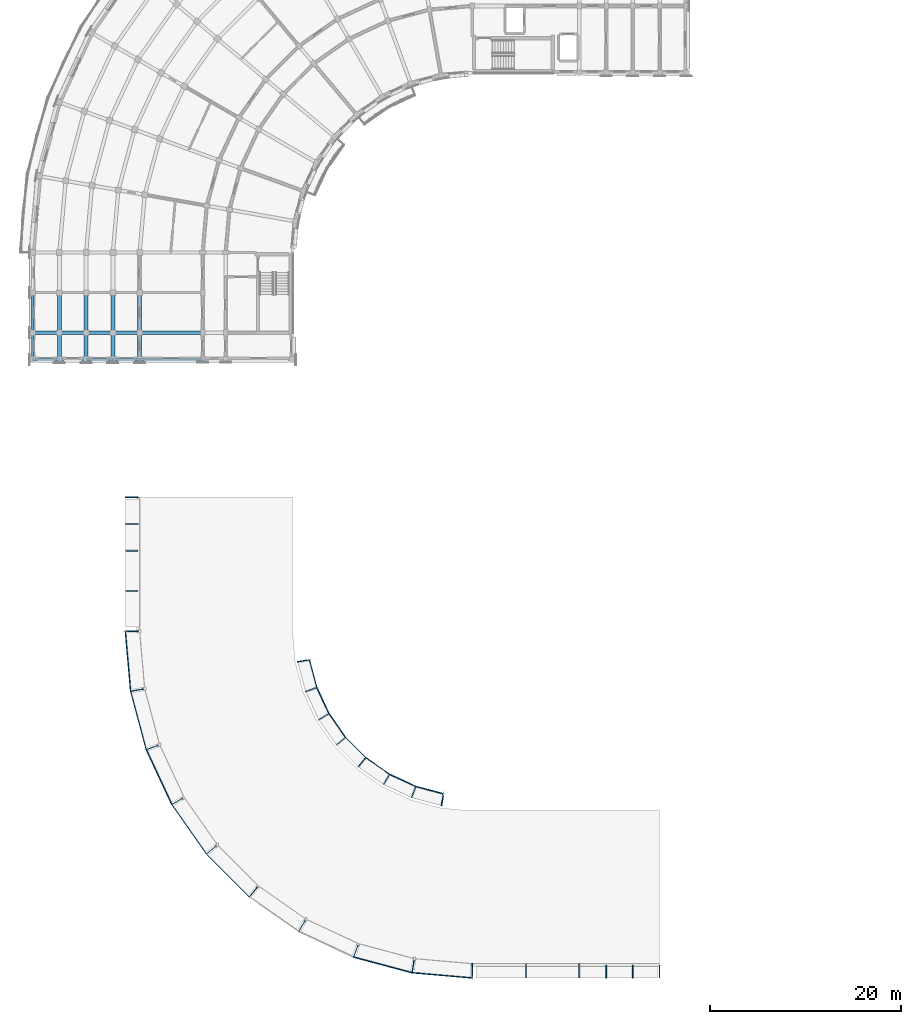
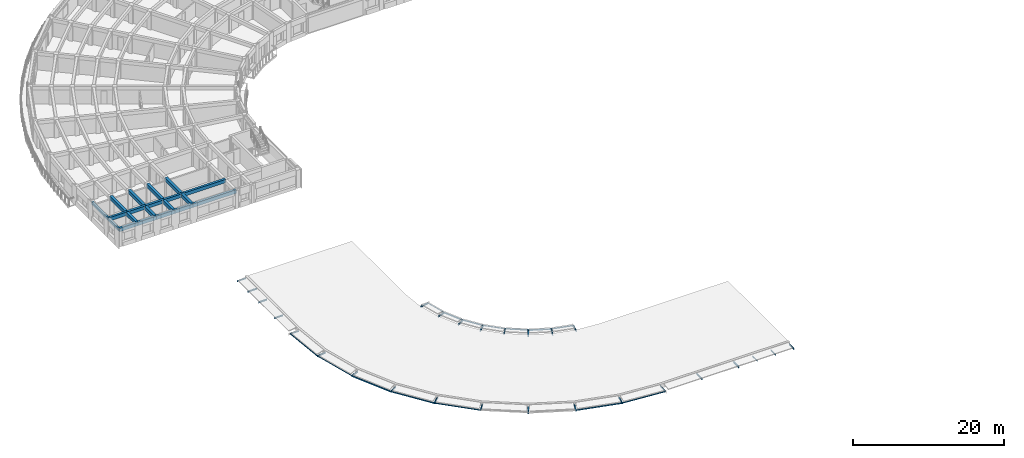
# One storey, part 3 of 41: 47 beams, 14 members.
"""IFC4 building model written with IfcOpenShell, lengths in metres."""

from ifc_helpers import new_model, si_unit, direction, frame, origin, origin_2d, place, context, subcontext, project, spatial, rectangle, hollow_rectangle, i_section, extrude, material, material_profile, profile_set, type_object, element, save


model = new_model("IFC4")

# Units and contexts
model_context = context("Model", 3, precision=1e-05, world=origin(), true_north=direction((0.0, 1.0)))
body_context = subcontext(model_context, "Body", "Model", "MODEL_VIEW")
ifc_project = project(units=[si_unit("LENGTHUNIT", "METRE"), si_unit("AREAUNIT", "SQUARE_METRE"), si_unit("VOLUMEUNIT", "CUBIC_METRE"), si_unit("PLANEANGLEUNIT", "RADIAN"), si_unit("MASSUNIT", "GRAM", prefix="KILO")], contexts=[model_context])

# Site, building, storey
site_placement = place(None, origin())
site = spatial("IfcSite", under=ifc_project, at=site_placement, CompositionType="ELEMENT")
building_placement = place(site_placement, origin())
building = spatial("IfcBuilding", under=site, at=building_placement, Name="Kiranvali Square Residences", CompositionType="ELEMENT")
storey_placement = place(building_placement, frame((0.0, 0.0, 33.89990234375)))
storey = spatial("IfcBuildingStorey", under=building, at=storey_placement, Name="L10", CompositionType="ELEMENT", Elevation=33.89990234375)

# Beams
ifc_material_1 = material(Name="Concrete M40 (40 MPa)", Category="concrete")
ifc_material_profile_1 = material_profile(ifc_material_1, rectangle(XDim=0.35009765625, YDim=0.550048828125, at=origin_2d()), Name="RC 350x550")
ifc_profile_set_1 = profile_set([ifc_material_profile_1], Name="Concrete M40 (40 MPa)")
beam_type_1 = type_object("IfcBeamType", Name="BM-M40-350x550", PredefinedType="BEAM", material=ifc_profile_set_1)
beam_1_placement = place(storey_placement, frame((20.0, 79.39990234375, 2.655029296875), z_axis=(-1.0, 0.0, 0.0), x_axis=(0.0, -1.0, 0.0)))
element("IfcBeam", 1, at=beam_1_placement, inside=storey, type_object=beam_type_1, Name="L10 beam BM-A-L10-A2T1-23", PredefinedType="BEAM", context=body_context, shape_type="SweptSolid", body=[
    extrude(rectangle(XDim=0.35009765625, YDim=0.550048828125, at=origin_2d()), origin(), (0.0, 0.0, 1.0), 6.60009765625),
])
beam_2_placement = place(storey_placement, frame((13.39990234375, 79.39990234375, 2.655029296875), z_axis=(-1.0, 0.0, 0.0), x_axis=(0.0, -1.0, 0.0)))
element("IfcBeam", 2, at=beam_2_placement, inside=storey, type_object=beam_type_1, Name="L10 beam BM-A-L10-A2T1-34", PredefinedType="BEAM", context=body_context, shape_type="SweptSolid", body=[
    extrude(rectangle(XDim=0.35009765625, YDim=0.550048828125, at=origin_2d()), origin(), (0.0, 0.0, 1.0), 2.7998046875),
])
for number, where, z_axis, x_axis, name in (
    (3, (10.60009765625, 79.39990234375, 2.655029296875), (-1.0, 0.0, 0.0), (0.0, -1.0, 0.0), "L10 beam BM-A-L10-A2T1-45"),
    (4, (7.800048828125, 79.39990234375, 2.655029296875), (-1.0, 0.0, 0.0), (0.0, -1.0, 0.0), "L10 beam BM-A-L10-A2T1-56"),
    (5, (5.0, 79.39990234375, 2.655029296875), (-1.0, 0.0, 0.0), (0.0, -1.0, 0.0), "L10 beam BM-A-L10-A2T1-67"),
):
    element("IfcBeam", number, at=place(storey_placement, frame(where, z_axis=z_axis, x_axis=x_axis)), inside=storey, type_object=beam_type_1, Name=name, PredefinedType="BEAM", context=body_context, shape_type="SweptSolid", body=[
        extrude(rectangle(XDim=0.35009765625, YDim=0.550048828125, at=origin_2d()), origin(), (0.0, 0.0, 1.0), 2.800048828125),
    ])
beam_3_placement = place(storey_placement, frame((20.0, 76.60009765625, 2.655029296875), z_axis=(-1.0, 0.0, 0.0), x_axis=(0.0, -1.0, 0.0)))
element("IfcBeam", 6, at=beam_3_placement, inside=storey, type_object=beam_type_1, Name="L10 beam BM-A-L10-A2T2-23", PredefinedType="BEAM", context=body_context, shape_type="SweptSolid", body=[
    extrude(rectangle(XDim=0.35009765625, YDim=0.550048828125, at=origin_2d()), origin(), (0.0, 0.0, 1.0), 6.60009765625),
])
beam_4_placement = place(storey_placement, frame((13.39990234375, 76.60009765625, 2.655029296875), z_axis=(-1.0, 0.0, 0.0), x_axis=(0.0, -1.0, 0.0)))
element("IfcBeam", 7, at=beam_4_placement, inside=storey, type_object=beam_type_1, Name="L10 beam BM-A-L10-A2T2-34", PredefinedType="BEAM", context=body_context, shape_type="SweptSolid", body=[
    extrude(rectangle(XDim=0.35009765625, YDim=0.550048828125, at=origin_2d()), origin(), (0.0, 0.0, 1.0), 2.7998046875),
])
for number, where, z_axis, x_axis, name in (
    (8, (10.60009765625, 76.60009765625, 2.655029296875), (-1.0, 0.0, 0.0), (0.0, -1.0, 0.0), "L10 beam BM-A-L10-A2T2-45"),
    (9, (7.800048828125, 76.60009765625, 2.655029296875), (-1.0, 0.0, 0.0), (0.0, -1.0, 0.0), "L10 beam BM-A-L10-A2T2-56"),
    (10, (5.0, 76.60009765625, 2.655029296875), (-1.0, 0.0, 0.0), (0.0, -1.0, 0.0), "L10 beam BM-A-L10-A2T2-67"),
):
    element("IfcBeam", number, at=place(storey_placement, frame(where, z_axis=z_axis, x_axis=x_axis)), inside=storey, type_object=beam_type_1, Name=name, PredefinedType="BEAM", context=body_context, shape_type="SweptSolid", body=[
        extrude(rectangle(XDim=0.35009765625, YDim=0.550048828125, at=origin_2d()), origin(), (0.0, 0.0, 1.0), 2.800048828125),
    ])
ifc_material_2 = material(Name="Concrete M45 (45 MPa)", Category="concrete")
ifc_material_profile_2 = material_profile(ifc_material_2, rectangle(XDim=0.39990234375, YDim=0.550048828125, at=origin_2d()), Name="RC 400x550")
ifc_profile_set_2 = profile_set([ifc_material_profile_2], Name="Concrete M45 (45 MPa)")
beam_type_2 = type_object("IfcBeamType", Name="BM-M45-400x550", PredefinedType="BEAM", material=ifc_profile_set_2)
beam_5_placement = place(storey_placement, frame((13.39990234375, 83.60009765625, 2.655029296875), z_axis=(0.0, -1.0, 0.0), x_axis=(1.0, 0.0, 0.0)))
element("IfcBeam", 11, at=beam_5_placement, inside=storey, type_object=beam_type_2, Name="L10 beam BM-A-L10-A2V1-R3", PredefinedType="BEAM", context=body_context, shape_type="SweptSolid", body=[
    extrude(rectangle(XDim=0.39990234375, YDim=0.550048828125, at=origin_2d()), origin(), (0.0, 0.0, 1.0), 4.2001953125),
])
beam_6_placement = place(storey_placement, frame((13.39990234375, 79.39990234375, 2.655029296875), z_axis=(0.0, -1.0, 0.0), x_axis=(1.0, 0.0, 0.0)))
element("IfcBeam", 12, at=beam_6_placement, inside=storey, type_object=beam_type_2, Name="L10 beam BM-A-L10-A2V2-R3", PredefinedType="BEAM", context=body_context, shape_type="SweptSolid", body=[
    extrude(rectangle(XDim=0.39990234375, YDim=0.550048828125, at=origin_2d()), origin(), (0.0, 0.0, 1.0), 2.7998046875),
])
beam_7_placement = place(storey_placement, frame((10.60009765625, 83.60009765625, 2.655029296875), z_axis=(0.0, -1.0, 0.0), x_axis=(1.0, 0.0, 0.0)))
element("IfcBeam", 13, at=beam_7_placement, inside=storey, type_object=beam_type_2, Name="L10 beam BM-A-L10-A2V1-R4", PredefinedType="BEAM", context=body_context, shape_type="SweptSolid", body=[
    extrude(rectangle(XDim=0.39990234375, YDim=0.550048828125, at=origin_2d()), origin(), (0.0, 0.0, 1.0), 4.2001953125),
])
beam_8_placement = place(storey_placement, frame((10.60009765625, 79.39990234375, 2.655029296875), z_axis=(0.0, -1.0, 0.0), x_axis=(1.0, 0.0, 0.0)))
element("IfcBeam", 14, at=beam_8_placement, inside=storey, type_object=beam_type_2, Name="L10 beam BM-A-L10-A2V2-R4", PredefinedType="BEAM", context=body_context, shape_type="SweptSolid", body=[
    extrude(rectangle(XDim=0.39990234375, YDim=0.550048828125, at=origin_2d()), origin(), (0.0, 0.0, 1.0), 2.7998046875),
])
beam_9_placement = place(storey_placement, frame((7.800048828125, 83.60009765625, 2.655029296875), z_axis=(0.0, -1.0, 0.0), x_axis=(1.0, 0.0, 0.0)))
element("IfcBeam", 15, at=beam_9_placement, inside=storey, type_object=beam_type_2, Name="L10 beam BM-A-L10-A2V1-R5", PredefinedType="BEAM", context=body_context, shape_type="SweptSolid", body=[
    extrude(rectangle(XDim=0.39990234375, YDim=0.550048828125, at=origin_2d()), origin(), (0.0, 0.0, 1.0), 4.2001953125),
])
beam_10_placement = place(storey_placement, frame((7.800048828125, 79.39990234375, 2.655029296875), z_axis=(0.0, -1.0, 0.0), x_axis=(1.0, 0.0, 0.0)))
element("IfcBeam", 16, at=beam_10_placement, inside=storey, type_object=beam_type_2, Name="L10 beam BM-A-L10-A2V2-R5", PredefinedType="BEAM", context=body_context, shape_type="SweptSolid", body=[
    extrude(rectangle(XDim=0.39990234375, YDim=0.550048828125, at=origin_2d()), origin(), (0.0, 0.0, 1.0), 2.7998046875),
])
beam_11_placement = place(storey_placement, frame((5.0, 83.60009765625, 2.655029296875), z_axis=(0.0, -1.0, 0.0), x_axis=(1.0, 0.0, 0.0)))
element("IfcBeam", 17, at=beam_11_placement, inside=storey, type_object=beam_type_2, Name="L10 beam BM-A-L10-A2V1-R6", PredefinedType="BEAM", context=body_context, shape_type="SweptSolid", body=[
    extrude(rectangle(XDim=0.39990234375, YDim=0.550048828125, at=origin_2d()), origin(), (0.0, 0.0, 1.0), 4.2001953125),
])
beam_12_placement = place(storey_placement, frame((5.0, 79.39990234375, 2.655029296875), z_axis=(0.0, -1.0, 0.0), x_axis=(1.0, 0.0, 0.0)))
element("IfcBeam", 18, at=beam_12_placement, inside=storey, type_object=beam_type_2, Name="L10 beam BM-A-L10-A2V2-R6", PredefinedType="BEAM", context=body_context, shape_type="SweptSolid", body=[
    extrude(rectangle(XDim=0.39990234375, YDim=0.550048828125, at=origin_2d()), origin(), (0.0, 0.0, 1.0), 2.7998046875),
])

# Members
ifc_material_3 = material(Name="Structural steel E350", Category="steel")
ifc_material_profile_3 = material_profile(ifc_material_3, hollow_rectangle(XDim=0.06103515625, YDim=0.1220703125, WallThickness=0.00439453125, at=origin_2d()), Name="RHS 122x61x4.5")
ifc_profile_set_3 = profile_set([ifc_material_profile_3], Name="Structural steel E350")
member_type_1 = type_object("IfcMemberType", Name="MEM-RHS122", PredefinedType="PURLIN", material=ifc_profile_set_3)
member_1_placement = place(storey_placement, frame((39.550048828125, 33.2177734375, -0.30078125), z_axis=(-0.819140627792, 0.573592740453, 0.0), x_axis=(-0.573592740453, -0.819140627792, 0.0)))
element("IfcMember", 19, at=member_1_placement, inside=storey, type_object=member_type_1, Name="Block C inner garden eave fascia purlin 4", PredefinedType="PURLIN", context=body_context, shape_type="SweptSolid", body=[
    extrude(hollow_rectangle(XDim=0.06103515625, YDim=0.1220703125, WallThickness=0.00439453125, at=origin_2d()), origin(), (0.0, 0.0, 1.0), 3.015625),
])
member_2_placement = place(storey_placement, frame((14.089111328125, 35.78466796875, -0.30078125), z_axis=(-0.25882480207, 0.965924283696, 0.0), x_axis=(-0.965924283696, -0.25882480207, 0.0)))
element("IfcMember", 20, at=member_2_placement, inside=storey, type_object=member_type_1, Name="Block C Ottoman eave fascia purlin 8", PredefinedType="PURLIN", context=body_context, shape_type="SweptSolid", body=[
    extrude(hollow_rectangle(XDim=0.06103515625, YDim=0.1220703125, WallThickness=0.00439453125, at=origin_2d()), origin(), (0.0, 0.0, 1.0), 6.327392578125),
])
member_3_placement = place(storey_placement, frame((31.943359375, 42.282958984375, -0.30078125), z_axis=(-0.258866661045, 0.965913066378, 0.0), x_axis=(-0.965913066378, -0.258866661045, 0.0)))
element("IfcMember", 21, at=member_3_placement, inside=storey, type_object=member_type_1, Name="Block C inner garden eave fascia purlin 8", PredefinedType="PURLIN", context=body_context, shape_type="SweptSolid", body=[
    extrude(hollow_rectangle(XDim=0.06103515625, YDim=0.1220703125, WallThickness=0.00439453125, at=origin_2d()), origin(), (0.0, 0.0, 1.0), 2.99072265625),
])
ifc_material_profile_4 = material_profile(ifc_material_3, hollow_rectangle(XDim=0.08203125, YDim=0.14501953125, WallThickness=0.00537109375, at=origin_2d()), Name="RHS 145x82x5.4")
ifc_profile_set_4 = profile_set([ifc_material_profile_4], Name="Structural steel E350")
member_type_2 = type_object("IfcMemberType", Name="MEM-RHS145", PredefinedType="PURLIN", material=ifc_profile_set_4)
member_4_placement = place(storey_placement, frame((48.175048828125, 11.902099609375, -0.3125), z_axis=(-0.996194516337, 0.087157820187, 0.0), x_axis=(-0.087157820187, -0.996194516337, 0.0)))
element("IfcMember", 22, at=member_4_placement, inside=storey, type_object=member_type_2, Name="Block C Ottoman eave fascia purlin 1", PredefinedType="PURLIN", context=body_context, shape_type="SweptSolid", body=[
    extrude(hollow_rectangle(XDim=0.08203125, YDim=0.14501953125, WallThickness=0.00537109375, at=origin_2d()), origin(), (0.0, 0.0, 1.0), 6.302490234375),
])
member_5_placement = place(storey_placement, frame((24.86669921875, 20.392578125, -0.3125), z_axis=(-0.707106781187, 0.707106781187, 0.0), x_axis=(-0.707106781187, -0.707106781187, 0.0)))
element("IfcMember", 23, at=member_5_placement, inside=storey, type_object=member_type_2, Name="Block C Ottoman eave fascia purlin 5", PredefinedType="PURLIN", context=body_context, shape_type="SweptSolid", body=[
    extrude(hollow_rectangle(XDim=0.08203125, YDim=0.14501953125, WallThickness=0.00537109375, at=origin_2d()), origin(), (0.0, 0.0, 1.0), 6.327392578125),
])
member_6_placement = place(storey_placement, frame((37.079833984375, 34.947509765625, -0.3125), z_axis=(-0.707106781187, 0.707106781187, 0.0), x_axis=(-0.707106781187, -0.707106781187, 0.0)))
element("IfcMember", 24, at=member_6_placement, inside=storey, type_object=member_type_2, Name="Block C inner garden eave fascia purlin 5", PredefinedType="PURLIN", context=body_context, shape_type="SweptSolid", body=[
    extrude(hollow_rectangle(XDim=0.08203125, YDim=0.14501953125, WallThickness=0.00537109375, at=origin_2d()), origin(), (0.0, 0.0, 1.0), 3.015625),
])
member_7_placement = place(storey_placement, frame((12.451416015625, 41.896484375, -0.3125), z_axis=(-0.087157820187, 0.996194516337, 0.0), x_axis=(-0.996194516337, -0.087157820187, 0.0)))
element("IfcMember", 25, at=member_7_placement, inside=storey, type_object=member_type_2, Name="Block C Ottoman eave fascia purlin 9", PredefinedType="PURLIN", context=body_context, shape_type="SweptSolid", body=[
    extrude(hollow_rectangle(XDim=0.08203125, YDim=0.14501953125, WallThickness=0.00537109375, at=origin_2d()), origin(), (0.0, 0.0, 1.0), 6.302490234375),
])
ifc_material_profile_5 = material_profile(ifc_material_3, hollow_rectangle(XDim=0.092041015625, YDim=0.172119140625, WallThickness=0.00537109375, at=origin_2d()), Name="RHS 172x92x5.4")
ifc_profile_set_5 = profile_set([ifc_material_profile_5], Name="Structural steel E350")
member_type_3 = type_object("IfcMemberType", Name="MEM-RHS172", PredefinedType="PURLIN", material=ifc_profile_set_5)
member_8_placement = place(storey_placement, frame((41.896484375, 12.451416015625, -0.325927734375), z_axis=(-0.965924283696, 0.25882480207, 0.0), x_axis=(-0.25882480207, -0.965924283696, 0.0)))
element("IfcMember", 26, at=member_8_placement, inside=storey, type_object=member_type_3, Name="Block C Ottoman eave fascia purlin 2", PredefinedType="PURLIN", context=body_context, shape_type="SweptSolid", body=[
    extrude(hollow_rectangle(XDim=0.092041015625, YDim=0.172119140625, WallThickness=0.00537109375, at=origin_2d()), origin(), (0.0, 0.0, 1.0), 6.327392578125),
])
member_9_placement = place(storey_placement, frame((45.171630859375, 31.169189453125, -0.325927734375), z_axis=(-0.965913066378, 0.258866661045, 0.0), x_axis=(-0.258866661045, -0.965913066378, 0.0)))
element("IfcMember", 27, at=member_9_placement, inside=storey, type_object=member_type_3, Name="Block C inner garden eave fascia purlin 2", PredefinedType="PURLIN", context=body_context, shape_type="SweptSolid", body=[
    extrude(hollow_rectangle(XDim=0.092041015625, YDim=0.172119140625, WallThickness=0.00537109375, at=origin_2d()), origin(), (0.0, 0.0, 1.0), 2.99072265625),
])
member_10_placement = place(storey_placement, frame((20.392578125, 24.86669921875, -0.325927734375), z_axis=(-0.573573685748, 0.819153970275, 0.0), x_axis=(-0.819153970275, -0.573573685748, 0.0)))
element("IfcMember", 28, at=member_10_placement, inside=storey, type_object=member_type_3, Name="Block C Ottoman eave fascia purlin 6", PredefinedType="PURLIN", context=body_context, shape_type="SweptSolid", body=[
    extrude(hollow_rectangle(XDim=0.092041015625, YDim=0.172119140625, WallThickness=0.00537109375, at=origin_2d()), origin(), (0.0, 0.0, 1.0), 6.32763671875),
])
member_11_placement = place(storey_placement, frame((34.947509765625, 37.079833984375, -0.325927734375), z_axis=(-0.573592740453, 0.819140627792, 0.0), x_axis=(-0.819140627792, -0.573592740453, 0.0)))
element("IfcMember", 29, at=member_11_placement, inside=storey, type_object=member_type_3, Name="Block C inner garden eave fascia purlin 6", PredefinedType="PURLIN", context=body_context, shape_type="SweptSolid", body=[
    extrude(hollow_rectangle(XDim=0.092041015625, YDim=0.172119140625, WallThickness=0.00537109375, at=origin_2d()), origin(), (0.0, 0.0, 1.0), 3.015625),
])
ifc_material_profile_6 = material_profile(ifc_material_3, hollow_rectangle(XDim=0.10009765625, YDim=0.199951171875, WallThickness=0.006103515625, at=origin_2d()), Name="RHS 200x100x6.0")
ifc_profile_set_6 = profile_set([ifc_material_profile_6], Name="Structural steel E350")
member_type_4 = type_object("IfcMemberType", Name="MEM-RHS200", PredefinedType="PURLIN", material=ifc_profile_set_6)
member_12_placement = place(storey_placement, frame((42.282958984375, 31.943359375, -0.33984375), z_axis=(-0.906303071034, 0.422628375094, 0.0), x_axis=(-0.422628375094, -0.906303071034, 0.0)))
element("IfcMember", 30, at=member_12_placement, inside=storey, type_object=member_type_4, Name="Block C inner garden eave fascia purlin 3", PredefinedType="PURLIN", context=body_context, shape_type="SweptSolid", body=[
    extrude(hollow_rectangle(XDim=0.10009765625, YDim=0.199951171875, WallThickness=0.006103515625, at=origin_2d()), origin(), (0.0, 0.0, 1.0), 3.015380859375),
])
member_13_placement = place(storey_placement, frame((16.76318359375, 30.050048828125, -0.33984375), z_axis=(-0.42261507398, 0.906309273507, 0.0), x_axis=(-0.906309273507, -0.42261507398, 0.0)))
element("IfcMember", 31, at=member_13_placement, inside=storey, type_object=member_type_4, Name="Block C Ottoman eave fascia purlin 7", PredefinedType="PURLIN", context=body_context, shape_type="SweptSolid", body=[
    extrude(hollow_rectangle(XDim=0.10009765625, YDim=0.199951171875, WallThickness=0.006103515625, at=origin_2d()), origin(), (0.0, 0.0, 1.0), 6.327392578125),
])
member_14_placement = place(storey_placement, frame((33.2177734375, 39.550048828125, -0.33984375), z_axis=(-0.422628375094, 0.906303071034, 0.0), x_axis=(-0.906303071034, -0.422628375094, 0.0)))
element("IfcMember", 32, at=member_14_placement, inside=storey, type_object=member_type_4, Name="Block C inner garden eave fascia purlin 7", PredefinedType="PURLIN", context=body_context, shape_type="SweptSolid", body=[
    extrude(hollow_rectangle(XDim=0.10009765625, YDim=0.199951171875, WallThickness=0.006103515625, at=origin_2d()), origin(), (0.0, 0.0, 1.0), 3.015380859375),
])

# Beams
ifc_material_profile_7 = material_profile(ifc_material_3, i_section(OverallWidth=0.0849609375, OverallDepth=0.175048828125, WebThickness=0.005859375, FlangeThickness=0.009033203125, at=origin_2d()), Name="ISMB 175")
ifc_profile_set_7 = profile_set([ifc_material_profile_7], Name="Structural steel E350")
beam_type_3 = type_object("IfcBeamType", Name="SBM-ISMB175", PredefinedType="JOIST", material=ifc_profile_set_7)
beam_13_placement = place(storey_placement, frame((48.199951171875, 13.419921875, -0.327392578125), z_axis=(0.0, -1.0, 0.0), x_axis=(1.0, 0.0, 0.0)))
element("IfcBeam", 33, at=beam_13_placement, inside=storey, type_object=beam_type_3, Name="Block C Classical Ottoman eave steel joist 1", PredefinedType="JOIST", context=body_context, shape_type="SweptSolid", body=[
    extrude(i_section(OverallWidth=0.0849609375, OverallDepth=0.175048828125, WebThickness=0.005859375, FlangeThickness=0.009033203125, at=origin_2d()), origin(), (0.0, 0.0, 1.0), 1.52001953125),
])
beam_14_placement = place(storey_placement, frame((25.72802734375, 21.419189453125, -0.327392578125), z_axis=(-0.642743353456, -0.766081576327, 0.0), x_axis=(0.766081576327, -0.642743353456, 0.0)))
element("IfcBeam", 34, at=beam_14_placement, inside=storey, type_object=beam_type_3, Name="Block C Classical Ottoman eave steel joist 5", PredefinedType="JOIST", context=body_context, shape_type="SweptSolid", body=[
    extrude(i_section(OverallWidth=0.0849609375, OverallDepth=0.175048828125, WebThickness=0.005859375, FlangeThickness=0.009033203125, at=origin_2d()), origin(), (0.0, 0.0, 1.0), 1.340087890625),
])
beam_15_placement = place(storey_placement, frame((36.257080078125, 33.966796875, -0.327392578125), z_axis=(0.642713381368, 0.766106721946, 0.0), x_axis=(-0.766106721946, 0.642713381368, 0.0)))
element("IfcBeam", 35, at=beam_15_placement, inside=storey, type_object=beam_type_3, Name="Block C inner garden eave steel joist 5", PredefinedType="JOIST", context=body_context, shape_type="SweptSolid", body=[
    extrude(i_section(OverallWidth=0.0849609375, OverallDepth=0.175048828125, WebThickness=0.005859375, FlangeThickness=0.009033203125, at=origin_2d()), origin(), (0.0, 0.0, 1.0), 1.280029296875),
])
beam_16_placement = place(storey_placement, frame((13.771240234375, 42.129150390625, -0.327392578125), z_axis=(-0.984814719833, -0.173608662227, 0.0), x_axis=(0.173608662227, -0.984814719833, 0.0)))
element("IfcBeam", 36, at=beam_16_placement, inside=storey, type_object=beam_type_3, Name="Block C Classical Ottoman eave steel joist 9", PredefinedType="JOIST", context=body_context, shape_type="SweptSolid", body=[
    extrude(i_section(OverallWidth=0.0849609375, OverallDepth=0.175048828125, WebThickness=0.005859375, FlangeThickness=0.009033203125, at=origin_2d()), origin(), (0.0, 0.0, 1.0), 1.340087890625),
])
beam_17_placement = place(storey_placement, frame((29.90234375, 44.9736328125, -0.327392578125), z_axis=(0.98482002203, 0.173578582229, 0.0), x_axis=(-0.173578582229, 0.98482002203, 0.0)))
element("IfcBeam", 37, at=beam_17_placement, inside=storey, type_object=beam_type_3, Name="Block C inner garden eave steel joist 9", PredefinedType="JOIST", context=body_context, shape_type="SweptSolid", body=[
    extrude(i_section(OverallWidth=0.0849609375, OverallDepth=0.175048828125, WebThickness=0.005859375, FlangeThickness=0.009033203125, at=origin_2d()), origin(), (0.0, 0.0, 1.0), 1.280029296875),
])
for number, where, z_axis, x_axis, name in (
    (38, (62.199951171875, 13.239990234375, -0.327392578125), (0.0, -1.0, 0.0), (1.0, 0.0, 0.0), "Block C Arm 1 Ottoman eave joist 3"),
    (39, (13.239990234375, 59.39990234375, -0.327392578125), (-1.0, 0.0, 0.0), (0.0, -1.0, 0.0), "Block C Arm 2 Ottoman eave joist 3"),
):
    element("IfcBeam", number, at=place(storey_placement, frame(where, z_axis=z_axis, x_axis=x_axis)), inside=storey, type_object=beam_type_3, Name=name, PredefinedType="JOIST", context=body_context, shape_type="SweptSolid", body=[
        extrude(i_section(OverallWidth=0.0849609375, OverallDepth=0.175048828125, WebThickness=0.005859375, FlangeThickness=0.009033203125, at=origin_2d()), origin(), (0.0, 0.0, 1.0), 1.340087890625),
    ])
ifc_material_profile_8 = material_profile(ifc_material_3, i_section(OverallWidth=0.10009765625, OverallDepth=0.199951171875, WebThickness=0.005615234375, FlangeThickness=0.0107421875, at=origin_2d()), Name="ISMB 200")
ifc_profile_set_8 = profile_set([ifc_material_profile_8], Name="Structural steel E350")
beam_type_4 = type_object("IfcBeamType", Name="SBM-ISMB200", PredefinedType="JOIST", material=ifc_profile_set_8)
beam_18_placement = place(storey_placement, frame((42.129150390625, 13.771240234375, -0.33984375), z_axis=(-0.173608662227, -0.984814719833, 0.0), x_axis=(0.984814719833, -0.173608662227, 0.0)))
element("IfcBeam", 40, at=beam_18_placement, inside=storey, type_object=beam_type_4, Name="Block C Classical Ottoman eave steel joist 2", PredefinedType="JOIST", context=body_context, shape_type="SweptSolid", body=[
    extrude(i_section(OverallWidth=0.10009765625, OverallDepth=0.199951171875, WebThickness=0.005615234375, FlangeThickness=0.0107421875, at=origin_2d()), origin(), (0.0, 0.0, 1.0), 1.340087890625),
])
beam_19_placement = place(storey_placement, frame((44.9736328125, 29.90234375, -0.33984375), z_axis=(0.173578582229, 0.98482002203, 0.0), x_axis=(-0.98482002203, 0.173578582229, 0.0)))
element("IfcBeam", 41, at=beam_19_placement, inside=storey, type_object=beam_type_4, Name="Block C inner garden eave steel joist 2", PredefinedType="JOIST", context=body_context, shape_type="SweptSolid", body=[
    extrude(i_section(OverallWidth=0.10009765625, OverallDepth=0.199951171875, WebThickness=0.005615234375, FlangeThickness=0.0107421875, at=origin_2d()), origin(), (0.0, 0.0, 1.0), 1.280029296875),
])
beam_20_placement = place(storey_placement, frame((21.419189453125, 25.72802734375, -0.33984375), z_axis=(-0.766081576327, -0.642743353456, 0.0), x_axis=(0.642743353456, -0.766081576327, 0.0)))
element("IfcBeam", 42, at=beam_20_placement, inside=storey, type_object=beam_type_4, Name="Block C Classical Ottoman eave steel joist 6", PredefinedType="JOIST", context=body_context, shape_type="SweptSolid", body=[
    extrude(i_section(OverallWidth=0.10009765625, OverallDepth=0.199951171875, WebThickness=0.005615234375, FlangeThickness=0.0107421875, at=origin_2d()), origin(), (0.0, 0.0, 1.0), 1.340087890625),
])
beam_21_placement = place(storey_placement, frame((33.966796875, 36.257080078125, -0.33984375), z_axis=(0.766106721946, 0.642713381368, 0.0), x_axis=(-0.642713381368, 0.766106721946, 0.0)))
element("IfcBeam", 43, at=beam_21_placement, inside=storey, type_object=beam_type_4, Name="Block C inner garden eave steel joist 6", PredefinedType="JOIST", context=body_context, shape_type="SweptSolid", body=[
    extrude(i_section(OverallWidth=0.10009765625, OverallDepth=0.199951171875, WebThickness=0.005615234375, FlangeThickness=0.0107421875, at=origin_2d()), origin(), (0.0, 0.0, 1.0), 1.280029296875),
])
for number, where, z_axis, x_axis, name in (
    (44, (13.239990234375, 48.199951171875, -0.33984375), (-1.0, 0.0, 0.0), (0.0, -1.0, 0.0), "Block C Classical Ottoman eave steel joist 10"),
    (45, (65.0, 13.239990234375, -0.33984375), (0.0, -1.0, 0.0), (1.0, 0.0, 0.0), "Block C Arm 1 Ottoman eave joist 4"),
    (46, (13.239990234375, 62.199951171875, -0.33984375), (-1.0, 0.0, 0.0), (0.0, -1.0, 0.0), "Block C Arm 2 Ottoman eave joist 4"),
):
    element("IfcBeam", number, at=place(storey_placement, frame(where, z_axis=z_axis, x_axis=x_axis)), inside=storey, type_object=beam_type_4, Name=name, PredefinedType="JOIST", context=body_context, shape_type="SweptSolid", body=[
        extrude(i_section(OverallWidth=0.10009765625, OverallDepth=0.199951171875, WebThickness=0.005615234375, FlangeThickness=0.0107421875, at=origin_2d()), origin(), (0.0, 0.0, 1.0), 1.340087890625),
    ])
ifc_material_profile_9 = material_profile(ifc_material_3, i_section(OverallWidth=0.110107421875, OverallDepth=0.22509765625, WebThickness=0.006591796875, FlangeThickness=0.01171875, at=origin_2d()), Name="ISMB 225")
ifc_profile_set_9 = profile_set([ifc_material_profile_9], Name="Structural steel E350")
beam_type_5 = type_object("IfcBeamType", Name="SBM-ISMB225", PredefinedType="JOIST", material=ifc_profile_set_9)
beam_22_placement = place(storey_placement, frame((36.242919921875, 15.348388671875, -0.352294921875), z_axis=(-0.341962474452, -0.939713608536, 0.0), x_axis=(0.939713608536, -0.341962474452, 0.0)))
element("IfcBeam", 47, at=beam_22_placement, inside=storey, type_object=beam_type_5, Name="Block C Classical Ottoman eave steel joist 3", PredefinedType="JOIST", context=body_context, shape_type="SweptSolid", body=[
    extrude(i_section(OverallWidth=0.110107421875, OverallDepth=0.22509765625, WebThickness=0.006591796875, FlangeThickness=0.01171875, at=origin_2d()), origin(), (0.0, 0.0, 1.0), 1.340087890625),
])
beam_23_placement = place(storey_placement, frame((41.84521484375, 30.740478515625, -0.352294921875), z_axis=(0.341972760075, 0.939709865526, 0.0), x_axis=(-0.939709865526, 0.341972760075, 0.0)))
element("IfcBeam", 48, at=beam_23_placement, inside=storey, type_object=beam_type_5, Name="Block C inner garden eave steel joist 3", PredefinedType="JOIST", context=body_context, shape_type="SweptSolid", body=[
    extrude(i_section(OverallWidth=0.110107421875, OverallDepth=0.22509765625, WebThickness=0.006591796875, FlangeThickness=0.01171875, at=origin_2d()), origin(), (0.0, 0.0, 1.0), 1.280029296875),
])
beam_24_placement = place(storey_placement, frame((17.923828125, 30.719970703125, -0.352294921875), z_axis=(-0.866082447003, -0.499901185229, 0.0), x_axis=(0.499901185229, -0.866082447003, 0.0)))
element("IfcBeam", 49, at=beam_24_placement, inside=storey, type_object=beam_type_5, Name="Block C Classical Ottoman eave steel joist 7", PredefinedType="JOIST", context=body_context, shape_type="SweptSolid", body=[
    extrude(i_section(OverallWidth=0.110107421875, OverallDepth=0.22509765625, WebThickness=0.006591796875, FlangeThickness=0.01171875, at=origin_2d()), origin(), (0.0, 0.0, 1.0), 1.340087890625),
])
beam_25_placement = place(storey_placement, frame((32.109130859375, 38.909912109375, -0.352294921875), z_axis=(0.866004557827, 0.500036104519, 0.0), x_axis=(-0.500036104519, 0.866004557827, 0.0)))
element("IfcBeam", 50, at=beam_25_placement, inside=storey, type_object=beam_type_5, Name="Block C inner garden eave steel joist 7", PredefinedType="JOIST", context=body_context, shape_type="SweptSolid", body=[
    extrude(i_section(OverallWidth=0.110107421875, OverallDepth=0.22509765625, WebThickness=0.006591796875, FlangeThickness=0.01171875, at=origin_2d()), origin(), (0.0, 0.0, 1.0), 1.2802734375),
])
beam_26_placement = place(storey_placement, frame((53.800048828125, 13.419921875, -0.352294921875), z_axis=(0.0, -1.0, 0.0), x_axis=(1.0, 0.0, 0.0)))
element("IfcBeam", 51, at=beam_26_placement, inside=storey, type_object=beam_type_5, Name="Block C Arm 1 Ottoman eave joist 1", PredefinedType="JOIST", context=body_context, shape_type="SweptSolid", body=[
    extrude(i_section(OverallWidth=0.110107421875, OverallDepth=0.22509765625, WebThickness=0.006591796875, FlangeThickness=0.01171875, at=origin_2d()), origin(), (0.0, 0.0, 1.0), 1.52001953125),
])
for number, where, z_axis, x_axis, name in (
    (52, (67.800048828125, 13.239990234375, -0.352294921875), (0.0, -1.0, 0.0), (1.0, 0.0, 0.0), "Block C Arm 1 Ottoman eave joist 5"),
    (53, (13.239990234375, 52.39990234375, -0.352294921875), (-1.0, 0.0, 0.0), (0.0, -1.0, 0.0), "Block C Arm 2 Ottoman eave joist 1"),
):
    element("IfcBeam", number, at=place(storey_placement, frame(where, z_axis=z_axis, x_axis=x_axis)), inside=storey, type_object=beam_type_5, Name=name, PredefinedType="JOIST", context=body_context, shape_type="SweptSolid", body=[
        extrude(i_section(OverallWidth=0.110107421875, OverallDepth=0.22509765625, WebThickness=0.006591796875, FlangeThickness=0.01171875, at=origin_2d()), origin(), (0.0, 0.0, 1.0), 1.340087890625),
    ])
ifc_material_profile_10 = material_profile(ifc_material_3, i_section(OverallWidth=0.125, OverallDepth=0.25, WebThickness=0.0068359375, FlangeThickness=0.012451171875, at=origin_2d()), Name="ISMB 250")
ifc_profile_set_10 = profile_set([ifc_material_profile_10], Name="Structural steel E350")
beam_type_6 = type_object("IfcBeamType", Name="SBM-ISMB250", PredefinedType="JOIST", material=ifc_profile_set_10)
beam_27_placement = place(storey_placement, frame((30.719970703125, 17.923828125, -0.364990234375), z_axis=(-0.499901185229, -0.866082447003, 0.0), x_axis=(0.866082447003, -0.499901185229, 0.0)))
element("IfcBeam", 54, at=beam_27_placement, inside=storey, type_object=beam_type_6, Name="Block C Classical Ottoman eave steel joist 4", PredefinedType="JOIST", context=body_context, shape_type="SweptSolid", body=[
    extrude(i_section(OverallWidth=0.125, OverallDepth=0.25, WebThickness=0.0068359375, FlangeThickness=0.012451171875, at=origin_2d()), origin(), (0.0, 0.0, 1.0), 1.340087890625),
])
beam_28_placement = place(storey_placement, frame((38.909912109375, 32.109130859375, -0.364990234375), z_axis=(0.500036104519, 0.866004557827, 0.0), x_axis=(-0.866004557827, 0.500036104519, 0.0)))
element("IfcBeam", 55, at=beam_28_placement, inside=storey, type_object=beam_type_6, Name="Block C inner garden eave steel joist 4", PredefinedType="JOIST", context=body_context, shape_type="SweptSolid", body=[
    extrude(i_section(OverallWidth=0.125, OverallDepth=0.25, WebThickness=0.0068359375, FlangeThickness=0.012451171875, at=origin_2d()), origin(), (0.0, 0.0, 1.0), 1.2802734375),
])
beam_29_placement = place(storey_placement, frame((15.348388671875, 36.242919921875, -0.364990234375), z_axis=(-0.939713608536, -0.341962474452, 0.0), x_axis=(0.341962474452, -0.939713608536, 0.0)))
element("IfcBeam", 56, at=beam_29_placement, inside=storey, type_object=beam_type_6, Name="Block C Classical Ottoman eave steel joist 8", PredefinedType="JOIST", context=body_context, shape_type="SweptSolid", body=[
    extrude(i_section(OverallWidth=0.125, OverallDepth=0.25, WebThickness=0.0068359375, FlangeThickness=0.012451171875, at=origin_2d()), origin(), (0.0, 0.0, 1.0), 1.340087890625),
])
beam_30_placement = place(storey_placement, frame((30.740478515625, 41.84521484375, -0.364990234375), z_axis=(0.939709865526, 0.341972760075, 0.0), x_axis=(-0.341972760075, 0.939709865526, 0.0)))
element("IfcBeam", 57, at=beam_30_placement, inside=storey, type_object=beam_type_6, Name="Block C inner garden eave steel joist 8", PredefinedType="JOIST", context=body_context, shape_type="SweptSolid", body=[
    extrude(i_section(OverallWidth=0.125, OverallDepth=0.25, WebThickness=0.0068359375, FlangeThickness=0.012451171875, at=origin_2d()), origin(), (0.0, 0.0, 1.0), 1.280029296875),
])
beam_31_placement = place(storey_placement, frame((59.39990234375, 13.419921875, -0.364990234375), z_axis=(0.0, -1.0, 0.0), x_axis=(1.0, 0.0, 0.0)))
element("IfcBeam", 58, at=beam_31_placement, inside=storey, type_object=beam_type_6, Name="Block C Arm 1 Ottoman eave joist 2", PredefinedType="JOIST", context=body_context, shape_type="SweptSolid", body=[
    extrude(i_section(OverallWidth=0.125, OverallDepth=0.25, WebThickness=0.0068359375, FlangeThickness=0.012451171875, at=origin_2d()), origin(), (0.0, 0.0, 1.0), 1.52001953125),
])
beam_32_placement = place(storey_placement, frame((13.239990234375, 56.60009765625, -0.364990234375), z_axis=(-1.0, 0.0, 0.0), x_axis=(0.0, -1.0, 0.0)))
element("IfcBeam", 59, at=beam_32_placement, inside=storey, type_object=beam_type_6, Name="Block C Arm 2 Ottoman eave joist 2", PredefinedType="JOIST", context=body_context, shape_type="SweptSolid", body=[
    extrude(i_section(OverallWidth=0.125, OverallDepth=0.25, WebThickness=0.0068359375, FlangeThickness=0.012451171875, at=origin_2d()), origin(), (0.0, 0.0, 1.0), 1.340087890625),
])
ifc_material_profile_11 = material_profile(ifc_material_1, rectangle(XDim=0.25, YDim=0.449951171875, at=origin_2d()), Name="RC 250x450")
ifc_profile_set_11 = profile_set([ifc_material_profile_11], Name="Concrete M40 (40 MPa)")
beam_type_7 = type_object("IfcBeamType", Name="SPN-M40-250x450", PredefinedType="SPANDREL", material=ifc_profile_set_11)
beam_33_placement = place(storey_placement, frame((2.199951171875, 83.60009765625, 2.705078125), z_axis=(0.0, -1.0, 0.0), x_axis=(1.0, 0.0, 0.0)))
element("IfcBeam", 60, at=beam_33_placement, inside=storey, type_object=beam_type_7, Name="L10 beam BM-A-L10-A2V1-R7", PredefinedType="SPANDREL", context=body_context, shape_type="SweptSolid", body=[
    extrude(rectangle(XDim=0.25, YDim=0.449951171875, at=origin_2d()), origin(), (0.0, 0.0, 1.0), 4.2001953125),
])
beam_34_placement = place(storey_placement, frame((2.199951171875, 79.39990234375, 2.705078125), z_axis=(0.0, -1.0, 0.0), x_axis=(1.0, 0.0, 0.0)))
element("IfcBeam", 61, at=beam_34_placement, inside=storey, type_object=beam_type_7, Name="L10 beam BM-A-L10-A2V2-R7", PredefinedType="SPANDREL", context=body_context, shape_type="SweptSolid", body=[
    extrude(rectangle(XDim=0.25, YDim=0.449951171875, at=origin_2d()), origin(), (0.0, 0.0, 1.0), 2.7998046875),
])

save(model, "model.ifc")
